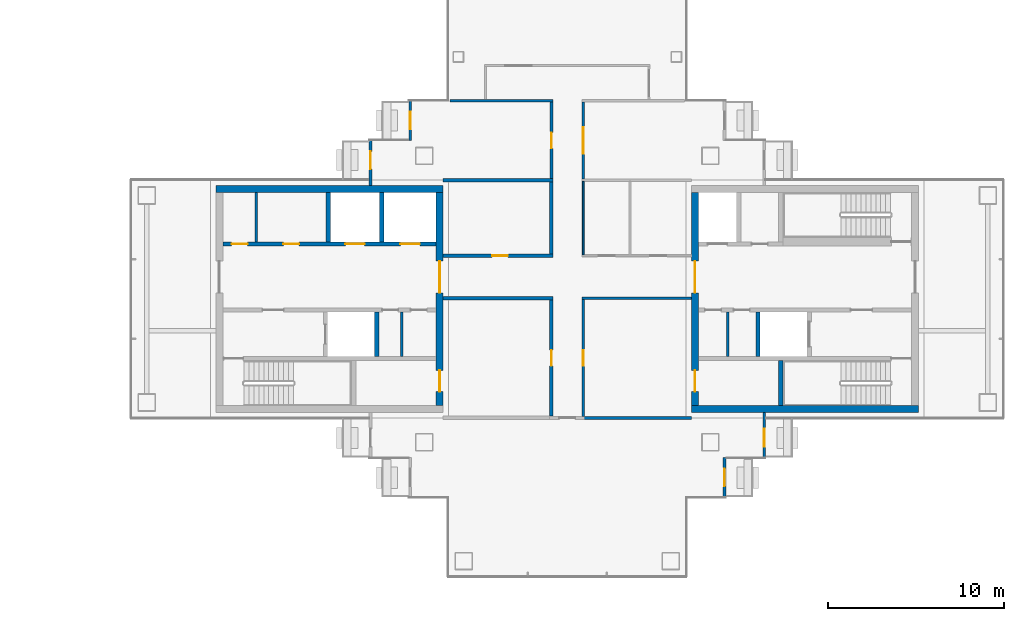
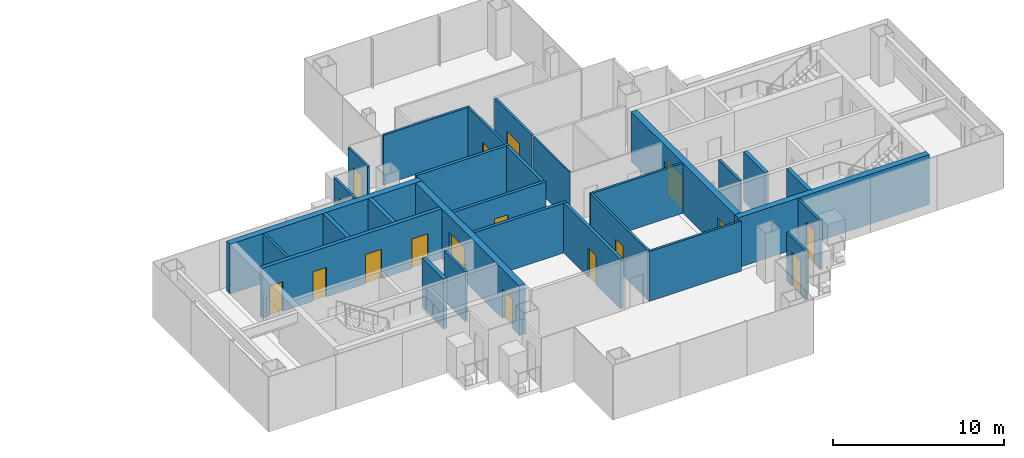
# One storey, part 11 of 17: 29 walls, 17 doors, 17 openings.
"""IFC4 building model written with IfcOpenShell, lengths in metres."""

from ifc_helpers import new_model, si_unit, direction, frame, frame_2d, origin, place, context, subcontext, project, spatial, rectangle, extrude, material, layer, layer_set, type_object, element, fill, save


model = new_model("IFC4")

# Units and contexts
model_context = context("Model", 3, precision=1e-05, world=origin(), true_north=direction((0.0, 1.0)))
body_context = subcontext(model_context, "Body", "Model", "MODEL_VIEW")
ifc_project = project(units=[si_unit("LENGTHUNIT", "METRE"), si_unit("AREAUNIT", "SQUARE_METRE"), si_unit("VOLUMEUNIT", "CUBIC_METRE"), si_unit("PLANEANGLEUNIT", "RADIAN"), si_unit("MASSUNIT", "GRAM", prefix="KILO")], contexts=[model_context])

# Site, building, storey
site_placement = place(None, origin())
site = spatial("IfcSite", under=ifc_project, at=site_placement, CompositionType="ELEMENT")
building_placement = place(site_placement, origin())
building = spatial("IfcBuilding", under=site, at=building_placement, Name="Shamsa Quay Exchange Towers", CompositionType="ELEMENT")
storey_placement = place(building_placement, frame((0.0, 0.0, 194.39990234375)))
storey = spatial("IfcBuildingStorey", under=building, at=storey_placement, Name="L46", CompositionType="ELEMENT", Elevation=194.39990234375)

# Wall, opening, door
ifc_material_1 = material(Name="Aluminium EN AW-6063 T6, black anodised, with black enamelled glass infill", Category="aluminium")
ifc_layer_1 = layer(ifc_material_1, 0.14990234375)
ifc_layer_set_1 = layer_set([ifc_layer_1], Name="BALCONY DOOR BAY WALL 150")
wall_type_1 = type_object("IfcWallType", Name="BALCONY DOOR BAY WALL 150", PredefinedType="SOLIDWALL", material=ifc_layer_set_1)
wall_1_placement = place(storey_placement, frame((24.824951171875, 9.0, 0.0), z_axis=(0.0, 0.0, 1.0), x_axis=(0.0, 1.0, 0.0)))
wall_1 = element("IfcWall", 1, at=wall_1_placement, inside=storey, type_object=wall_type_1, Name="Door bay T2-PKEN L46", PredefinedType="SOLIDWALL", context=body_context, shape_type="SweptSolid", body=[
    extrude(rectangle(XDim=2.25, YDim=0.14990234375, at=frame_2d((1.125, 0.0))), origin(), (0.0, 0.0, 1.0), 3.4501953125),
])
opening_1_placement = place(wall_1_placement, frame((0.625, 0.0, 0.0)))
opening_1 = element("IfcOpeningElement", 2, at=opening_1_placement, cuts=wall_1, Name="Opening XD297", PredefinedType="OPENING", context=body_context, shape_type="SweptSolid", body=[
    extrude(rectangle(XDim=1.0, YDim=2.39990234375, at=frame_2d((0.5, 1.199951171875))), frame((0.0, 0.0849609375, 0.0), z_axis=(0.0, -1.0, 0.0), x_axis=(1.0, 0.0, 0.0)), (0.0, 0.0, 1.0), 0.169921875),
])
ifc_material_2 = material(Name="Aluminium EN AW-6063 T6, black anodised, with laminated glass leaf", Category="aluminium")
door_type_1 = type_object("IfcDoorType", Name="BALCONY DOOR 1000x2400", OperationType="SINGLE_SWING_LEFT", PredefinedType="DOOR", material=ifc_material_2)
door_1_placement = place(opening_1_placement, origin())
door_1 = element("IfcDoor", 3, at=door_1_placement, inside=storey, type_object=door_type_1, Name="Balcony door T2-PKEN L46", OperationType="SINGLE_SWING_RIGHT", OverallHeight=2.39990234375, OverallWidth=1.0, PredefinedType="DOOR", context=body_context, shape_type="SweptSolid", body=[
    extrude(rectangle(XDim=1.0, YDim=2.39990234375, at=frame_2d((0.5, 1.199951171875))), frame((0.0, 0.02490234375, 0.0), z_axis=(0.0, -1.0, 0.0), x_axis=(1.0, 0.0, 0.0)), (0.0, 0.0, 1.0), 0.050048828125),
])
fill(opening_1, door_1)

wall_2_placement = place(storey_placement, frame((22.574951171875, 6.447998046875, 0.0), z_axis=(0.0, 0.0, 1.0), x_axis=(0.0, 1.0, 0.0)))
wall_2 = element("IfcWall", 4, at=wall_2_placement, inside=storey, type_object=wall_type_1, Name="Door bay T2-PKEN L46", PredefinedType="SOLIDWALL", context=body_context, shape_type="SweptSolid", body=[
    extrude(rectangle(XDim=2.552001953125, YDim=0.14990234375, at=frame_2d((1.27587890625, 0.0))), origin(), (0.0, 0.0, 1.0), 3.4501953125),
])
opening_2_placement = place(wall_2_placement, frame((0.927001953125, 0.0, 0.0)))
opening_2 = element("IfcOpeningElement", 5, at=opening_2_placement, cuts=wall_2, Name="Opening XD298", PredefinedType="OPENING", context=body_context, shape_type="SweptSolid", body=[
    extrude(rectangle(XDim=1.0, YDim=2.39990234375, at=frame_2d((0.5, 1.199951171875))), frame((0.0, 0.0849609375, 0.0), z_axis=(0.0, -1.0, 0.0), x_axis=(1.0, 0.0, 0.0)), (0.0, 0.0, 1.0), 0.169921875),
])
door_2_placement = place(opening_2_placement, origin())
door_2 = element("IfcDoor", 6, at=door_2_placement, inside=storey, type_object=door_type_1, Name="Balcony door T2-PKEN L46", OperationType="SINGLE_SWING_LEFT", OverallHeight=2.39990234375, OverallWidth=1.0, PredefinedType="DOOR", context=body_context, shape_type="SweptSolid", body=[
    extrude(rectangle(XDim=1.0, YDim=2.39990234375, at=frame_2d((0.5, 1.199951171875))), frame((0.0, 0.02490234375, 0.0), z_axis=(0.0, -1.0, 0.0), x_axis=(1.0, 0.0, 0.0)), (0.0, 0.0, 1.0), 0.050048828125),
])
fill(opening_2, door_2)

wall_3_placement = place(storey_placement, frame((42.675048828125, -9.0, 0.0), z_axis=(0.0, 0.0, 1.0), x_axis=(0.0, -1.0, 0.0)))
wall_3 = element("IfcWall", 7, at=wall_3_placement, inside=storey, type_object=wall_type_1, Name="Door bay T2-PKWS L46", PredefinedType="SOLIDWALL", context=body_context, shape_type="SweptSolid", body=[
    extrude(rectangle(XDim=2.25, YDim=0.14990234375, at=frame_2d((1.125, 0.0))), origin(), (0.0, 0.0, 1.0), 3.4501953125),
])
opening_3_placement = place(wall_3_placement, frame((0.625, 0.0, 0.0)))
opening_3 = element("IfcOpeningElement", 8, at=opening_3_placement, cuts=wall_3, Name="Opening XD303", PredefinedType="OPENING", context=body_context, shape_type="SweptSolid", body=[
    extrude(rectangle(XDim=1.0, YDim=2.39990234375, at=frame_2d((0.5, 1.199951171875))), frame((0.0, 0.0849609375, 0.0), z_axis=(0.0, -1.0, 0.0), x_axis=(1.0, 0.0, 0.0)), (0.0, 0.0, 1.0), 0.169921875),
])
door_3_placement = place(opening_3_placement, origin())
door_3 = element("IfcDoor", 9, at=door_3_placement, inside=storey, type_object=door_type_1, Name="Balcony door T2-PKWS L46", OperationType="SINGLE_SWING_LEFT", OverallHeight=2.39990234375, OverallWidth=1.0, PredefinedType="DOOR", context=body_context, shape_type="SweptSolid", body=[
    extrude(rectangle(XDim=1.0, YDim=2.39990234375, at=frame_2d((0.5, 1.199951171875))), frame((0.0, 0.02490234375, 0.0), z_axis=(0.0, -1.0, 0.0), x_axis=(1.0, 0.0, 0.0)), (0.0, 0.0, 1.0), 0.050048828125),
])
fill(opening_3, door_3)

wall_4_placement = place(storey_placement, frame((44.925048828125, -6.447998046875, 0.0), z_axis=(0.0, 0.0, 1.0), x_axis=(0.0, -1.0, 0.0)))
wall_4 = element("IfcWall", 10, at=wall_4_placement, inside=storey, type_object=wall_type_1, Name="Door bay T2-PKWS L46", PredefinedType="SOLIDWALL", context=body_context, shape_type="SweptSolid", body=[
    extrude(rectangle(XDim=2.552001953125, YDim=0.14990234375, at=frame_2d((1.27587890625, 0.0))), origin(), (0.0, 0.0, 1.0), 3.4501953125),
])
opening_4_placement = place(wall_4_placement, frame((0.927001953125, 0.0, 0.0)))
opening_4 = element("IfcOpeningElement", 11, at=opening_4_placement, cuts=wall_4, Name="Opening XD304", PredefinedType="OPENING", context=body_context, shape_type="SweptSolid", body=[
    extrude(rectangle(XDim=1.0, YDim=2.39990234375, at=frame_2d((0.5, 1.199951171875))), frame((0.0, 0.0849609375, 0.0), z_axis=(0.0, -1.0, 0.0), x_axis=(1.0, 0.0, 0.0)), (0.0, 0.0, 1.0), 0.169921875),
])
door_4_placement = place(opening_4_placement, origin())
door_4 = element("IfcDoor", 12, at=door_4_placement, inside=storey, type_object=door_type_1, Name="Balcony door T2-PKWS L46", OperationType="SINGLE_SWING_RIGHT", OverallHeight=2.39990234375, OverallWidth=1.0, PredefinedType="DOOR", context=body_context, shape_type="SweptSolid", body=[
    extrude(rectangle(XDim=1.0, YDim=2.39990234375, at=frame_2d((0.5, 1.199951171875))), frame((0.0, 0.02490234375, 0.0), z_axis=(0.0, -1.0, 0.0), x_axis=(1.0, 0.0, 0.0)), (0.0, 0.0, 1.0), 0.050048828125),
])
fill(opening_4, door_4)

# Wall
ifc_material_3 = material(Name="Concrete C60/75", Category="concrete")
ifc_layer_2 = layer(ifc_material_3, 0.39990234375)
ifc_layer_set_2 = layer_set([ifc_layer_2], Name="CORE WALL 400 C60/75")
wall_type_2 = type_object("IfcWallType", Name="CORE WALL 400 C60/75", PredefinedType="SHEAR", material=ifc_layer_set_2)
wall_5_placement = place(storey_placement, frame((13.800048828125, 6.25, 0.0)))
element("IfcWall", 13, at=wall_5_placement, inside=storey, type_object=wall_type_2, Name="Core wall T2A-R21-PN", PredefinedType="SHEAR", context=body_context, shape_type="SweptSolid", body=[
    extrude(rectangle(XDim=12.89990234375, YDim=0.39990234375, at=frame_2d((6.449951171875, 0.0))), origin(), (0.0, 0.0, 1.0), 3.550048828125),
])

# Wall, openings, doors
wall_6_placement = place(storey_placement, frame((26.5, 6.050048828125, 0.0), z_axis=(0.0, 0.0, 1.0), x_axis=(0.0, -1.0, 0.0)))
wall_6 = element("IfcWall", 14, at=wall_6_placement, inside=storey, type_object=wall_type_2, Name="Core wall T2A-R21-PB", PredefinedType="SHEAR", context=body_context, shape_type="SweptSolid", body=[
    extrude(rectangle(XDim=12.10009765625, YDim=0.39990234375, at=frame_2d((6.050048828125, 0.0))), origin(), (0.0, 0.0, 1.0), 3.550048828125),
])
opening_5_placement = place(wall_6_placement, frame((10.10009765625, 0.0, 0.0)))
opening_5 = element("IfcOpeningElement", 15, at=opening_5_placement, cuts=wall_6, Name="Opening T2A-R21-RD02", PredefinedType="OPENING", context=body_context, shape_type="SweptSolid", body=[
    extrude(rectangle(XDim=1.199951171875, YDim=2.10009765625, at=frame_2d((0.60009765625, 1.050048828125))), frame((0.0, 0.2099609375, 0.0), z_axis=(0.0, -1.0, 0.0), x_axis=(1.0, 0.0, 0.0)), (0.0, 0.0, 1.0), 0.419921875),
])
opening_6_placement = place(wall_6_placement, frame((3.89990234375, 0.0, 0.0)))
opening_6 = element("IfcOpeningElement", 16, at=opening_6_placement, cuts=wall_6, Name="Opening T2A-R21-LBD03", PredefinedType="OPENING", context=body_context, shape_type="SweptSolid", body=[
    extrude(rectangle(XDim=1.800048828125, YDim=2.39990234375, at=frame_2d((0.89990234375, 1.199951171875))), frame((0.0, 0.2099609375, 0.0), z_axis=(0.0, -1.0, 0.0), x_axis=(1.0, 0.0, 0.0)), (0.0, 0.0, 1.0), 0.419921875),
])
ifc_material_4 = material(Name="Steel, fire rated", Category="steel")
door_type_2 = type_object("IfcDoorType", Name="LIFT LOBBY DOOR PAIR 1800", OperationType="DOUBLE_DOOR_SINGLE_SWING", PredefinedType="DOOR", material=ifc_material_4)
door_5_placement = place(opening_6_placement, origin())
door_5 = element("IfcDoor", 17, at=door_5_placement, inside=storey, type_object=door_type_2, Name="T2A-R21-LBD03", OperationType="DOUBLE_DOOR_SINGLE_SWING", OverallHeight=2.39990234375, OverallWidth=1.800048828125, PredefinedType="DOOR", context=body_context, shape_type="SweptSolid", body=[
    extrude(rectangle(XDim=1.800048828125, YDim=2.39990234375, at=frame_2d((0.89990234375, 1.199951171875))), frame((0.0, 0.02490234375, 0.0), z_axis=(0.0, -1.0, 0.0), x_axis=(1.0, 0.0, 0.0)), (0.0, 0.0, 1.0), 0.050048828125),
])
fill(opening_6, door_5)
door_type_3 = type_object("IfcDoorType", Name="RISER ACCESS DOOR 1200", OperationType="SINGLE_SWING_LEFT", PredefinedType="DOOR", material=ifc_material_4)
door_6_placement = place(opening_5_placement, origin())
door_6 = element("IfcDoor", 18, at=door_6_placement, inside=storey, type_object=door_type_3, Name="T2A-R21-RD02", OperationType="SINGLE_SWING_RIGHT", OverallHeight=2.10009765625, OverallWidth=1.199951171875, PredefinedType="DOOR", context=body_context, shape_type="SweptSolid", body=[
    extrude(rectangle(XDim=1.199951171875, YDim=2.10009765625, at=frame_2d((0.60009765625, 1.050048828125))), frame((0.0, 0.02490234375, 0.0), z_axis=(0.0, -1.0, 0.0), x_axis=(1.0, 0.0, 0.0)), (0.0, 0.0, 1.0), 0.050048828125),
])
fill(opening_5, door_6)

# Wall
wall_7_placement = place(storey_placement, frame((53.699951171875, -6.25, 0.0), z_axis=(0.0, 0.0, 1.0), x_axis=(-1.0, 0.0, 0.0)))
element("IfcWall", 19, at=wall_7_placement, inside=storey, type_object=wall_type_2, Name="Core wall T2B-R21-PS", PredefinedType="SHEAR", context=body_context, shape_type="SweptSolid", body=[
    extrude(rectangle(XDim=12.89990234375, YDim=0.39990234375, at=frame_2d((6.449951171875, 0.0))), origin(), (0.0, 0.0, 1.0), 3.550048828125),
])

# Wall, openings, doors
wall_8_placement = place(storey_placement, frame((41.0, -6.050048828125, 0.0), z_axis=(0.0, 0.0, 1.0), x_axis=(0.0, 1.0, 0.0)))
wall_8 = element("IfcWall", 20, at=wall_8_placement, inside=storey, type_object=wall_type_2, Name="Core wall T2B-R21-PB", PredefinedType="SHEAR", context=body_context, shape_type="SweptSolid", body=[
    extrude(rectangle(XDim=12.10009765625, YDim=0.39990234375, at=frame_2d((6.050048828125, 0.0))), origin(), (0.0, 0.0, 1.0), 3.550048828125),
])
opening_7_placement = place(wall_8_placement, frame((0.800048828125, 0.0, 0.0)))
opening_7 = element("IfcOpeningElement", 21, at=opening_7_placement, cuts=wall_8, Name="Opening T2B-R21-RD02", PredefinedType="OPENING", context=body_context, shape_type="SweptSolid", body=[
    extrude(rectangle(XDim=1.199951171875, YDim=2.10009765625, at=frame_2d((0.60009765625, 1.050048828125))), frame((0.0, 0.2099609375, 0.0), z_axis=(0.0, -1.0, 0.0), x_axis=(1.0, 0.0, 0.0)), (0.0, 0.0, 1.0), 0.419921875),
])
opening_8_placement = place(wall_8_placement, frame((6.39990234375, 0.0, 0.0)))
opening_8 = element("IfcOpeningElement", 22, at=opening_8_placement, cuts=wall_8, Name="Opening T2B-R21-LBD03", PredefinedType="OPENING", context=body_context, shape_type="SweptSolid", body=[
    extrude(rectangle(XDim=1.800048828125, YDim=2.39990234375, at=frame_2d((0.89990234375, 1.199951171875))), frame((0.0, 0.2099609375, 0.0), z_axis=(0.0, -1.0, 0.0), x_axis=(1.0, 0.0, 0.0)), (0.0, 0.0, 1.0), 0.419921875),
])
door_7_placement = place(opening_8_placement, origin())
door_7 = element("IfcDoor", 23, at=door_7_placement, inside=storey, type_object=door_type_2, Name="T2B-R21-LBD03", OperationType="DOUBLE_DOOR_SINGLE_SWING", OverallHeight=2.39990234375, OverallWidth=1.800048828125, PredefinedType="DOOR", context=body_context, shape_type="SweptSolid", body=[
    extrude(rectangle(XDim=1.800048828125, YDim=2.39990234375, at=frame_2d((0.89990234375, 1.199951171875))), frame((0.0, 0.02490234375, 0.0), z_axis=(0.0, -1.0, 0.0), x_axis=(1.0, 0.0, 0.0)), (0.0, 0.0, 1.0), 0.050048828125),
])
fill(opening_8, door_7)
door_8_placement = place(opening_7_placement, origin())
door_8 = element("IfcDoor", 24, at=door_8_placement, inside=storey, type_object=door_type_3, Name="T2B-R21-RD02", OperationType="SINGLE_SWING_LEFT", OverallHeight=2.10009765625, OverallWidth=1.199951171875, PredefinedType="DOOR", context=body_context, shape_type="SweptSolid", body=[
    extrude(rectangle(XDim=1.199951171875, YDim=2.10009765625, at=frame_2d((0.60009765625, 1.050048828125))), frame((0.0, 0.02490234375, 0.0), z_axis=(0.0, -1.0, 0.0), x_axis=(1.0, 0.0, 0.0)), (0.0, 0.0, 1.0), 0.050048828125),
])
fill(opening_7, door_8)

# Walls
ifc_material_5 = material(Name="Gypsum board on steel studs, EI 60", Category="steel")
ifc_layer_3 = layer(ifc_material_5, 0.14990234375)
ifc_layer_set_3 = layer_set([ifc_layer_3], Name="FIRE PARTITION 150")
wall_type_3 = type_object("IfcWallType", Name="FIRE PARTITION 150", PredefinedType="PARTITIONING", material=ifc_layer_set_3)
wall_9_placement = place(storey_placement, frame((24.35009765625, -3.25, 0.0), z_axis=(0.0, 0.0, 1.0), x_axis=(0.0, 1.0, 0.0)))
element("IfcWall", 25, at=wall_9_placement, inside=storey, type_object=wall_type_3, Name="Partition T2A-R21-EC0", PredefinedType="PARTITIONING", context=body_context, shape_type="SweptSolid", body=[
    extrude(rectangle(XDim=2.5, YDim=0.14990234375, at=frame_2d((1.25, 0.0))), origin(), (0.0, 0.0, 1.0), 3.550048828125),
])
wall_10_placement = place(storey_placement, frame((16.10009765625, 3.25, 0.0), z_axis=(0.0, 0.0, 1.0), x_axis=(0.0, 1.0, 0.0)))
element("IfcWall", 26, at=wall_10_placement, inside=storey, type_object=wall_type_3, Name="Partition T2A-R21-FC0", PredefinedType="PARTITIONING", context=body_context, shape_type="SweptSolid", body=[
    extrude(rectangle(XDim=2.800048828125, YDim=0.14990234375, at=frame_2d((1.39990234375, 0.0))), origin(), (0.0, 0.0, 1.0), 3.550048828125),
])
wall_11_placement = place(storey_placement, frame((42.85009765625, -3.25, 0.0), z_axis=(0.0, 0.0, 1.0), x_axis=(0.0, 1.0, 0.0)))
element("IfcWall", 27, at=wall_11_placement, inside=storey, type_object=wall_type_3, Name="Partition T2B-R21-EC0", PredefinedType="PARTITIONING", context=body_context, shape_type="SweptSolid", body=[
    extrude(rectangle(XDim=2.5, YDim=0.14990234375, at=frame_2d((1.25, 0.0))), origin(), (0.0, 0.0, 1.0), 3.550048828125),
])
ifc_material_6 = material(Name="Gypsum board partition on metal studs")
ifc_layer_4 = layer(ifc_material_6, 0.10009765625)
ifc_layer_set_4 = layer_set([ifc_layer_4], Name="Partition 100 mm NOT RATED")
wall_type_4 = type_object("IfcWallType", Name="Partition 100 mm NOT RATED", PredefinedType="PARTITIONING", material=ifc_layer_set_4)
wall_12_placement = place(storey_placement, frame((34.650390625, 6.675048828125, 0.0), z_axis=(0.0, 0.0, 1.0), x_axis=(0.0, -1.0, 0.0)))
element("IfcWall", 28, at=wall_12_placement, inside=storey, type_object=wall_type_4, Name="Partition T2-R21-W06", PredefinedType="PARTITIONING", context=body_context, shape_type="SweptSolid", body=[
    extrude(rectangle(XDim=4.1748046875, YDim=0.10009765625, at=frame_2d((2.08740234375, 0.0))), origin(), (0.0, 0.0, 1.0), 3.550048828125),
])
ifc_layer_5 = layer(ifc_material_6, 0.14990234375)
ifc_layer_set_5 = layer_set([ifc_layer_5], Name="Partition 150 mm EI 60")
wall_type_5 = type_object("IfcWallType", Name="Partition 150 mm EI 60", PredefinedType="PARTITIONING", material=ifc_layer_set_5)
wall_13_placement = place(storey_placement, frame((40.800048828125, 0.0498046875, 0.0), z_axis=(0.0, 0.0, 1.0), x_axis=(-1.0, 0.0, 0.0)))
element("IfcWall", 29, at=wall_13_placement, inside=storey, type_object=wall_type_5, Name="Partition T2-R21-W07", PredefinedType="PARTITIONING", context=body_context, shape_type="SweptSolid", body=[
    extrude(rectangle(XDim=6.224609375, YDim=0.14990234375, at=frame_2d((3.1123046875, 0.0))), origin(), (0.0, 0.0, 1.0), 3.550048828125),
])

# Wall, opening, door
wall_14_placement = place(storey_placement, frame((34.650390625, -0.025146484375, 0.0), z_axis=(0.0, 0.0, 1.0), x_axis=(0.0, -1.0, 0.0)))
wall_14 = element("IfcWall", 30, at=wall_14_placement, inside=storey, type_object=wall_type_5, Name="Partition T2-R21-W08", PredefinedType="PARTITIONING", context=body_context, shape_type="SweptSolid", body=[
    extrude(rectangle(XDim=6.64990234375, YDim=0.14990234375, at=frame_2d((3.324951171875, 0.0))), origin(), (0.0, 0.0, 1.0), 3.550048828125),
])
opening_9_placement = place(wall_14_placement, frame((2.875, 0.0, 0.0)))
opening_9 = element("IfcOpeningElement", 31, at=opening_9_placement, cuts=wall_14, Name="Opening T2-R21-D04", PredefinedType="OPENING", context=body_context, shape_type="SweptSolid", body=[
    extrude(rectangle(XDim=0.89990234375, YDim=2.10009765625, at=frame_2d((0.449951171875, 1.050048828125))), frame((0.0, 0.0849609375, 0.0), z_axis=(0.0, -1.0, 0.0), x_axis=(1.0, 0.0, 0.0)), (0.0, 0.0, 1.0), 0.169921875),
])
ifc_material_7 = material(Name="Timber door leaf in a metal frame", Category="wood")
door_type_4 = type_object("IfcDoorType", Name="Door 900x2100 FD30S", OperationType="NOTDEFINED", PredefinedType="DOOR", material=ifc_material_7)
door_9_placement = place(opening_9_placement, origin())
door_9 = element("IfcDoor", 32, at=door_9_placement, inside=storey, type_object=door_type_4, Name="Door T2-R21-D04", OperationType="SINGLE_SWING_RIGHT", OverallHeight=2.10009765625, OverallWidth=0.89990234375, PredefinedType="DOOR", context=body_context, shape_type="SweptSolid", body=[
    extrude(rectangle(XDim=0.89990234375, YDim=2.10009765625, at=frame_2d((0.449951171875, 1.050048828125))), frame((0.0, 0.02490234375, 0.0), z_axis=(0.0, -1.0, 0.0), x_axis=(1.0, 0.0, 0.0)), (0.0, 0.0, 1.0), 0.050048828125),
])
fill(opening_9, door_9)

wall_15_placement = place(storey_placement, frame((34.650390625, 11.175048828125, 0.0), z_axis=(0.0, 0.0, 1.0), x_axis=(0.0, -1.0, 0.0)))
wall_15 = element("IfcWall", 33, at=wall_15_placement, inside=storey, type_object=wall_type_5, Name="Partition T2-R21-W09", PredefinedType="PARTITIONING", context=body_context, shape_type="SweptSolid", body=[
    extrude(rectangle(XDim=4.35009765625, YDim=0.14990234375, at=frame_2d((2.175048828125, 0.0))), origin(), (0.0, 0.0, 1.0), 3.550048828125),
])
opening_10_placement = place(wall_15_placement, frame((1.425048828125, 0.0, 0.0)))
opening_10 = element("IfcOpeningElement", 34, at=opening_10_placement, cuts=wall_15, Name="Opening T2-R21-D05", PredefinedType="OPENING", context=body_context, shape_type="SweptSolid", body=[
    extrude(rectangle(XDim=1.5, YDim=2.10009765625, at=frame_2d((0.75, 1.050048828125))), frame((0.0, 0.0849609375, 0.0), z_axis=(0.0, -1.0, 0.0), x_axis=(1.0, 0.0, 0.0)), (0.0, 0.0, 1.0), 0.169921875),
])
door_type_5 = type_object("IfcDoorType", Name="Door 1500x2100 FD30S pair", OperationType="NOTDEFINED", PredefinedType="DOOR", material=ifc_material_7)
door_10_placement = place(opening_10_placement, origin())
door_10 = element("IfcDoor", 35, at=door_10_placement, inside=storey, type_object=door_type_5, Name="Door T2-R21-D05", OperationType="DOUBLE_DOOR_SINGLE_SWING", OverallHeight=2.10009765625, OverallWidth=1.5, PredefinedType="DOOR", context=body_context, shape_type="SweptSolid", body=[
    extrude(rectangle(XDim=1.5, YDim=2.10009765625, at=frame_2d((0.75, 1.050048828125))), frame((0.0, 0.02490234375, 0.0), z_axis=(0.0, -1.0, 0.0), x_axis=(1.0, 0.0, 0.0)), (0.0, 0.0, 1.0), 0.050048828125),
])
fill(opening_10, door_10)

# Wall
wall_16_placement = place(storey_placement, frame((32.924560546875, 11.25, 0.0), z_axis=(0.0, 0.0, 1.0), x_axis=(-1.0, 0.0, 0.0)))
element("IfcWall", 36, at=wall_16_placement, inside=storey, type_object=wall_type_5, Name="Partition T2-R21-W10", PredefinedType="PARTITIONING", context=body_context, shape_type="SweptSolid", body=[
    extrude(rectangle(XDim=5.82958984375, YDim=0.14990234375, at=frame_2d((2.914794921875, 0.0))), origin(), (0.0, 0.0, 1.0), 3.550048828125),
])

# Wall, opening, door
wall_17_placement = place(storey_placement, frame((32.849609375, 6.85009765625, 0.0), z_axis=(0.0, 0.0, 1.0), x_axis=(0.0, 1.0, 0.0)))
wall_17 = element("IfcWall", 37, at=wall_17_placement, inside=storey, type_object=wall_type_5, Name="Partition T2-R21-W12", PredefinedType="PARTITIONING", context=body_context, shape_type="SweptSolid", body=[
    extrude(rectangle(XDim=4.324951171875, YDim=0.14990234375, at=frame_2d((2.16259765625, 0.0))), origin(), (0.0, 0.0, 1.0), 3.550048828125),
])
opening_11_placement = place(wall_17_placement, frame((1.699951171875, 0.0, 0.0)))
opening_11 = element("IfcOpeningElement", 38, at=opening_11_placement, cuts=wall_17, Name="Opening T2-R21-D09", PredefinedType="OPENING", context=body_context, shape_type="SweptSolid", body=[
    extrude(rectangle(XDim=0.89990234375, YDim=2.10009765625, at=frame_2d((0.449951171875, 1.050048828125))), frame((0.0, 0.0849609375, 0.0), z_axis=(0.0, -1.0, 0.0), x_axis=(1.0, 0.0, 0.0)), (0.0, 0.0, 1.0), 0.169921875),
])
door_11_placement = place(opening_11_placement, origin())
door_11 = element("IfcDoor", 39, at=door_11_placement, inside=storey, type_object=door_type_4, Name="Door T2-R21-D09", OperationType="SINGLE_SWING_RIGHT", OverallHeight=2.10009765625, OverallWidth=0.89990234375, PredefinedType="DOOR", context=body_context, shape_type="SweptSolid", body=[
    extrude(rectangle(XDim=0.89990234375, YDim=2.10009765625, at=frame_2d((0.449951171875, 1.050048828125))), frame((0.0, 0.02490234375, 0.0), z_axis=(0.0, -1.0, 0.0), x_axis=(1.0, 0.0, 0.0)), (0.0, 0.0, 1.0), 0.050048828125),
])
fill(opening_11, door_11)

# Walls
wall_18_placement = place(storey_placement, frame((34.575439453125, -6.75, 0.0)))
element("IfcWall", 40, at=wall_18_placement, inside=storey, type_object=wall_type_5, Name="Partition T2-R21-W21", PredefinedType="PARTITIONING", context=body_context, shape_type="SweptSolid", body=[
    extrude(rectangle(XDim=6.224609375, YDim=0.14990234375, at=frame_2d((3.1123046875, 0.0))), origin(), (0.0, 0.0, 1.0), 3.550048828125),
])
ifc_layer_6 = layer(ifc_material_6, 0.199951171875)
ifc_layer_set_6 = layer_set([ifc_layer_6], Name="Partition 200 mm EI 120")
wall_type_6 = type_object("IfcWallType", Name="Partition 200 mm EI 120", PredefinedType="PARTITIONING", material=ifc_layer_set_6)
wall_19_placement = place(storey_placement, frame((32.849609375, 2.55029296875, 0.0), z_axis=(0.0, 0.0, 1.0), x_axis=(0.0, 1.0, 0.0)))
element("IfcWall", 41, at=wall_19_placement, inside=storey, type_object=wall_type_6, Name="Partition T2-R21-W01", PredefinedType="PARTITIONING", context=body_context, shape_type="SweptSolid", body=[
    extrude(rectangle(XDim=4.099609375, YDim=0.199951171875, at=frame_2d((2.0498046875, 0.0))), origin(), (0.0, 0.0, 1.0), 3.550048828125),
])

# Wall, opening, door
wall_20_placement = place(storey_placement, frame((32.849609375, -6.64990234375, 0.0), z_axis=(0.0, 0.0, 1.0), x_axis=(0.0, 1.0, 0.0)))
wall_20 = element("IfcWall", 42, at=wall_20_placement, inside=storey, type_object=wall_type_6, Name="Partition T2-R21-W02", PredefinedType="PARTITIONING", context=body_context, shape_type="SweptSolid", body=[
    extrude(rectangle(XDim=6.599609375, YDim=0.199951171875, at=frame_2d((3.2998046875, 0.0))), origin(), (0.0, 0.0, 1.0), 3.550048828125),
])
opening_12_placement = place(wall_20_placement, frame((2.849853515625, 0.0, 0.0)))
opening_12 = element("IfcOpeningElement", 43, at=opening_12_placement, cuts=wall_20, Name="Opening T2-R21-D07", PredefinedType="OPENING", context=body_context, shape_type="SweptSolid", body=[
    extrude(rectangle(XDim=0.89990234375, YDim=2.10009765625, at=frame_2d((0.449951171875, 1.050048828125))), frame((0.0, 0.10986328125, 0.0), z_axis=(0.0, -1.0, 0.0), x_axis=(1.0, 0.0, 0.0)), (0.0, 0.0, 1.0), 0.219970703125),
])
door_type_6 = type_object("IfcDoorType", Name="Door 900x2100 FD60", OperationType="NOTDEFINED", PredefinedType="DOOR", material=ifc_material_7)
door_12_placement = place(opening_12_placement, origin())
door_12 = element("IfcDoor", 44, at=door_12_placement, inside=storey, type_object=door_type_6, Name="Door T2-R21-D07", OperationType="SINGLE_SWING_LEFT", OverallHeight=2.10009765625, OverallWidth=0.89990234375, PredefinedType="DOOR", context=body_context, shape_type="SweptSolid", body=[
    extrude(rectangle(XDim=0.89990234375, YDim=2.10009765625, at=frame_2d((0.449951171875, 1.050048828125))), frame((0.0, 0.02490234375, 0.0), z_axis=(0.0, -1.0, 0.0), x_axis=(1.0, 0.0, 0.0)), (0.0, 0.0, 1.0), 0.050048828125),
])
fill(opening_12, door_12)

wall_21_placement = place(storey_placement, frame((26.699951171875, 2.4501953125, 0.0)))
wall_21 = element("IfcWall", 45, at=wall_21_placement, inside=storey, type_object=wall_type_6, Name="Partition T2-R21-W03", PredefinedType="PARTITIONING", context=body_context, shape_type="SweptSolid", body=[
    extrude(rectangle(XDim=6.249755859375, YDim=0.199951171875, at=frame_2d((3.125, 0.0))), origin(), (0.0, 0.0, 1.0), 3.550048828125),
])
opening_13_placement = place(wall_21_placement, frame((2.77490234375, 0.0, 0.0)))
opening_13 = element("IfcOpeningElement", 46, at=opening_13_placement, cuts=wall_21, Name="Opening T2-R21-D08", PredefinedType="OPENING", context=body_context, shape_type="SweptSolid", body=[
    extrude(rectangle(XDim=0.89990234375, YDim=2.10009765625, at=frame_2d((0.449951171875, 1.050048828125))), frame((0.0, 0.10986328125, 0.0), z_axis=(0.0, -1.0, 0.0), x_axis=(1.0, 0.0, 0.0)), (0.0, 0.0, 1.0), 0.219970703125),
])
door_13_placement = place(opening_13_placement, origin())
door_13 = element("IfcDoor", 47, at=door_13_placement, inside=storey, type_object=door_type_6, Name="Door T2-R21-D08", OperationType="SINGLE_SWING_RIGHT", OverallHeight=2.10009765625, OverallWidth=0.89990234375, PredefinedType="DOOR", context=body_context, shape_type="SweptSolid", body=[
    extrude(rectangle(XDim=0.89990234375, YDim=2.10009765625, at=frame_2d((0.449951171875, 1.050048828125))), frame((0.0, 0.02490234375, 0.0), z_axis=(0.0, -1.0, 0.0), x_axis=(1.0, 0.0, 0.0)), (0.0, 0.0, 1.0), 0.050048828125),
])
fill(opening_13, door_13)

# Walls
for number, where, z_axis, x_axis, name in (
    (48, (32.94970703125, 0.0498046875, 0.0), (0.0, 0.0, 1.0), (-1.0, 0.0, 0.0), "Partition T2-R21-W04"),
    (49, (32.94970703125, 6.75, 0.0), (0.0, 0.0, 1.0), (-1.0, 0.0, 0.0), "Partition T2-R21-W17"),
):
    element("IfcWall", number, at=place(storey_placement, frame(where, z_axis=z_axis, x_axis=x_axis)), inside=storey, type_object=wall_type_6, Name=name, PredefinedType="PARTITIONING", context=body_context, shape_type="SweptSolid", body=[
        extrude(rectangle(XDim=6.249755859375, YDim=0.199951171875, at=frame_2d((3.125, 0.0))), origin(), (0.0, 0.0, 1.0), 3.550048828125),
    ])
ifc_material_8 = material(Name="Concrete C50/60", Category="concrete")
ifc_layer_7 = layer(ifc_material_8, 0.25)
ifc_layer_set_7 = layer_set([ifc_layer_7], Name="SHAFT WALL 250 C50/60")
wall_type_7 = type_object("IfcWallType", Name="SHAFT WALL 250 C50/60", PredefinedType="SHEAR", material=ifc_layer_set_7)
wall_22_placement = place(storey_placement, frame((22.925048828125, -3.25, 0.0), z_axis=(0.0, 0.0, 1.0), x_axis=(0.0, 1.0, 0.0)))
element("IfcWall", 50, at=wall_22_placement, inside=storey, type_object=wall_type_7, Name="Shaft wall T2A-R21-FFB", PredefinedType="SHEAR", context=body_context, shape_type="SweptSolid", body=[
    extrude(rectangle(XDim=2.5, YDim=0.25, at=frame_2d((1.25, 0.0))), origin(), (0.0, 0.0, 1.0), 3.550048828125),
])

# Wall, openings, doors
wall_23_placement = place(storey_placement, frame((14.199951171875, 3.125, 0.0)))
wall_23 = element("IfcWall", 51, at=wall_23_placement, inside=storey, type_object=wall_type_7, Name="Shaft wall T2A-R21-N", PredefinedType="SHEAR", context=body_context, shape_type="SweptSolid", body=[
    extrude(rectangle(XDim=12.10009765625, YDim=0.25, at=frame_2d((6.050048828125, 0.0))), origin(), (0.0, 0.0, 1.0), 3.550048828125),
])
opening_14_placement = place(wall_23_placement, frame((6.949951171875, 0.0, 0.0)))
opening_14 = element("IfcOpeningElement", 52, at=opening_14_placement, cuts=wall_23, Name="Opening T2A-R21-LD09", PredefinedType="OPENING", context=body_context, shape_type="SweptSolid", body=[
    extrude(rectangle(XDim=1.10009765625, YDim=2.10009765625, at=frame_2d((0.550048828125, 1.050048828125))), frame((0.0, 0.135009765625, 0.0), z_axis=(0.0, -1.0, 0.0), x_axis=(1.0, 0.0, 0.0)), (0.0, 0.0, 1.0), 0.27001953125),
])
opening_15_placement = place(wall_23_placement, frame((10.074951171875, 0.0, 0.0)))
opening_15 = element("IfcOpeningElement", 53, at=opening_15_placement, cuts=wall_23, Name="Opening T2A-R21-LD10", PredefinedType="OPENING", context=body_context, shape_type="SweptSolid", body=[
    extrude(rectangle(XDim=1.10009765625, YDim=2.10009765625, at=frame_2d((0.550048828125, 1.050048828125))), frame((0.0, 0.135009765625, 0.0), z_axis=(0.0, -1.0, 0.0), x_axis=(1.0, 0.0, 0.0)), (0.0, 0.0, 1.0), 0.27001953125),
])
opening_16_placement = place(wall_23_placement, frame((0.5, 0.0, 0.0)))
opening_16 = element("IfcOpeningElement", 54, at=opening_16_placement, cuts=wall_23, Name="Opening T2A-R21-SV11", PredefinedType="OPENING", context=body_context, shape_type="SweptSolid", body=[
    extrude(rectangle(XDim=0.89990234375, YDim=2.10009765625, at=frame_2d((0.449951171875, 1.050048828125))), frame((0.0, 0.135009765625, 0.0), z_axis=(0.0, -1.0, 0.0), x_axis=(1.0, 0.0, 0.0)), (0.0, 0.0, 1.0), 0.27001953125),
])
opening_17_placement = place(wall_23_placement, frame((3.425048828125, 0.0, 0.0)))
opening_17 = element("IfcOpeningElement", 55, at=opening_17_placement, cuts=wall_23, Name="Opening T2A-R21-SV12", PredefinedType="OPENING", context=body_context, shape_type="SweptSolid", body=[
    extrude(rectangle(XDim=0.89990234375, YDim=2.10009765625, at=frame_2d((0.449951171875, 1.050048828125))), frame((0.0, 0.135009765625, 0.0), z_axis=(0.0, -1.0, 0.0), x_axis=(1.0, 0.0, 0.0)), (0.0, 0.0, 1.0), 0.27001953125),
])
door_type_7 = type_object("IfcDoorType", Name="LANDING DOOR 1100", OperationType="SLIDING_TO_LEFT", PredefinedType="DOOR", material=ifc_material_4)
door_14_placement = place(opening_14_placement, origin())
door_14 = element("IfcDoor", 56, at=door_14_placement, inside=storey, type_object=door_type_7, Name="T2A-R21-LD09", OperationType="SLIDING_TO_LEFT", OverallHeight=2.10009765625, OverallWidth=1.10009765625, PredefinedType="DOOR", context=body_context, shape_type="SweptSolid", body=[
    extrude(rectangle(XDim=1.10009765625, YDim=2.10009765625, at=frame_2d((0.550048828125, 1.050048828125))), frame((0.0, 0.02490234375, 0.0), z_axis=(0.0, -1.0, 0.0), x_axis=(1.0, 0.0, 0.0)), (0.0, 0.0, 1.0), 0.050048828125),
])
fill(opening_14, door_14)
door_15_placement = place(opening_15_placement, origin())
door_15 = element("IfcDoor", 57, at=door_15_placement, inside=storey, type_object=door_type_7, Name="T2A-R21-LD10", OperationType="SLIDING_TO_LEFT", OverallHeight=2.10009765625, OverallWidth=1.10009765625, PredefinedType="DOOR", context=body_context, shape_type="SweptSolid", body=[
    extrude(rectangle(XDim=1.10009765625, YDim=2.10009765625, at=frame_2d((0.550048828125, 1.050048828125))), frame((0.0, 0.02490234375, 0.0), z_axis=(0.0, -1.0, 0.0), x_axis=(1.0, 0.0, 0.0)), (0.0, 0.0, 1.0), 0.050048828125),
])
fill(opening_15, door_15)
door_type_8 = type_object("IfcDoorType", Name="SERVICE ROOM DOOR 900", OperationType="SINGLE_SWING_LEFT", PredefinedType="DOOR", material=ifc_material_4)
door_16_placement = place(opening_16_placement, origin())
door_16 = element("IfcDoor", 58, at=door_16_placement, inside=storey, type_object=door_type_8, Name="T2A-R21-SV11", OperationType="SINGLE_SWING_LEFT", OverallHeight=2.10009765625, OverallWidth=0.89990234375, PredefinedType="DOOR", context=body_context, shape_type="SweptSolid", body=[
    extrude(rectangle(XDim=0.89990234375, YDim=2.10009765625, at=frame_2d((0.449951171875, 1.050048828125))), frame((0.0, 0.02490234375, 0.0), z_axis=(0.0, -1.0, 0.0), x_axis=(1.0, 0.0, 0.0)), (0.0, 0.0, 1.0), 0.050048828125),
])
fill(opening_16, door_16)
door_17_placement = place(opening_17_placement, origin())
door_17 = element("IfcDoor", 59, at=door_17_placement, inside=storey, type_object=door_type_8, Name="T2A-R21-SV12", OperationType="SINGLE_SWING_LEFT", OverallHeight=2.10009765625, OverallWidth=0.89990234375, PredefinedType="DOOR", context=body_context, shape_type="SweptSolid", body=[
    extrude(rectangle(XDim=0.89990234375, YDim=2.10009765625, at=frame_2d((0.449951171875, 1.050048828125))), frame((0.0, 0.02490234375, 0.0), z_axis=(0.0, -1.0, 0.0), x_axis=(1.0, 0.0, 0.0)), (0.0, 0.0, 1.0), 0.050048828125),
])
fill(opening_17, door_17)

# Walls
for number, where, z_axis, x_axis, name in (
    (60, (20.175048828125, 3.25, 0.0), (0.0, 0.0, 1.0), (0.0, 1.0, 0.0), "Shaft wall T2A-R21-D1"),
    (61, (23.22509765625, 3.25, 0.0), (0.0, 0.0, 1.0), (0.0, 1.0, 0.0), "Shaft wall T2A-R21-D2"),
):
    element("IfcWall", number, at=place(storey_placement, frame(where, z_axis=z_axis, x_axis=x_axis)), inside=storey, type_object=wall_type_7, Name=name, PredefinedType="SHEAR", context=body_context, shape_type="SweptSolid", body=[
        extrude(rectangle(XDim=2.800048828125, YDim=0.25, at=frame_2d((1.39990234375, 0.0))), origin(), (0.0, 0.0, 1.0), 3.550048828125),
    ])
wall_24_placement = place(storey_placement, frame((45.875, -6.050048828125, 0.0), z_axis=(0.0, 0.0, 1.0), x_axis=(0.0, 1.0, 0.0)))
element("IfcWall", 62, at=wall_24_placement, inside=storey, type_object=wall_type_7, Name="Shaft wall T2B-R21-STF", PredefinedType="SHEAR", context=body_context, shape_type="SweptSolid", body=[
    extrude(rectangle(XDim=2.550048828125, YDim=0.25, at=frame_2d((1.27490234375, 0.0))), origin(), (0.0, 0.0, 1.0), 3.550048828125),
])
wall_25_placement = place(storey_placement, frame((44.574951171875, -3.25, 0.0), z_axis=(0.0, 0.0, 1.0), x_axis=(0.0, 1.0, 0.0)))
element("IfcWall", 63, at=wall_25_placement, inside=storey, type_object=wall_type_7, Name="Shaft wall T2B-R21-FFB", PredefinedType="SHEAR", context=body_context, shape_type="SweptSolid", body=[
    extrude(rectangle(XDim=2.5, YDim=0.25, at=frame_2d((1.25, 0.0))), origin(), (0.0, 0.0, 1.0), 3.550048828125),
])

save(model, "model.ifc")
